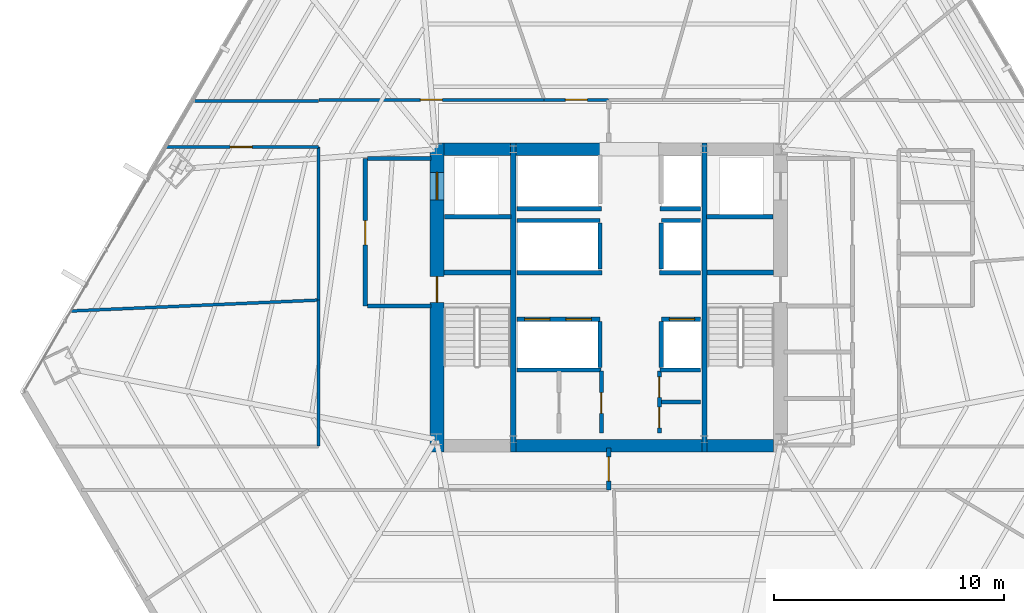
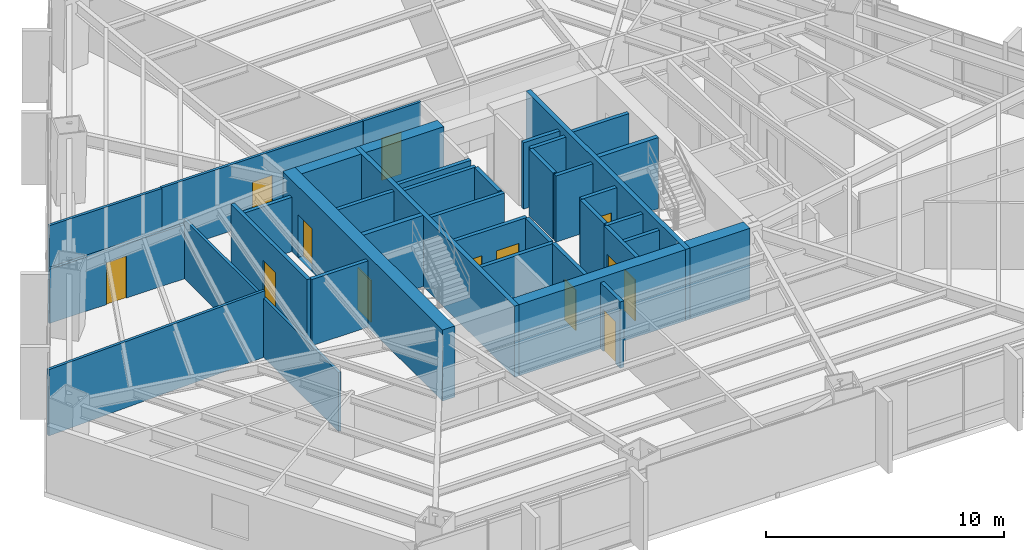
# One storey, part 28 of 33: 39 walls, 13 doors, 13 openings.
"""IFC4 building model written with IfcOpenShell, lengths in metres."""

from ifc_helpers import new_model, si_unit, direction, frame, frame_2d, origin, place, context, subcontext, project, spatial, rectangle, extrude, material, layer, layer_set, type_object, element, fill, save


model = new_model("IFC4")

# Units and contexts
model_context = context("Model", 3, precision=1e-05, world=origin(), true_north=direction((0.0, 1.0)))
body_context = subcontext(model_context, "Body", "Model", "MODEL_VIEW")
ifc_project = project(units=[si_unit("LENGTHUNIT", "METRE"), si_unit("AREAUNIT", "SQUARE_METRE"), si_unit("VOLUMEUNIT", "CUBIC_METRE"), si_unit("PLANEANGLEUNIT", "RADIAN"), si_unit("MASSUNIT", "GRAM", prefix="KILO")], contexts=[model_context])

# Site, building, storey
site_placement = place(None, origin())
site = spatial("IfcSite", under=ifc_project, at=site_placement, CompositionType="ELEMENT")
building_placement = place(site_placement, origin())
building = spatial("IfcBuilding", under=site, at=building_placement, Name="Caelisora Broadcast Tower", CompositionType="ELEMENT")
storey_placement = place(building_placement, frame((0.0, 0.0, 42.199951171875)))
storey = spatial("IfcBuildingStorey", under=building, at=storey_placement, Name="L10", CompositionType="ELEMENT", Elevation=42.199951171875)

# Wall, openings, doors
ifc_material_1 = material(Name="Concrete 65 MPa (AS 3600 S65)", Category="concrete")
ifc_layer_1 = layer(ifc_material_1, 0.60009765625, Name="Concrete 65 MPa (AS 3600 S65)")
ifc_layer_set_1 = layer_set([ifc_layer_1], Name="Concrete 65 MPa (AS 3600 S65)")
wall_type_1 = type_object("IfcWallType", Name="CW1", PredefinedType="SHEAR", material=ifc_layer_set_1)
wall_1_placement = place(storey_placement, frame((30.5400390625, 16.85009765625, 0.0), z_axis=(0.0, 0.0, 1.0), x_axis=(0.0, 1.0, 0.0)))
wall_1 = element("IfcWall", 1, at=wall_1_placement, inside=storey, type_object=wall_type_1, Name="L10 core shear wall CW1", PredefinedType="SHEAR", context=body_context, shape_type="SweptSolid", body=[
    extrude(rectangle(XDim=13.4248046875, YDim=0.60009765625, at=frame_2d((6.71240234375, 0.0))), origin(), (0.0, 0.0, 1.0), 3.650146484375),
])
opening_1_placement = place(wall_1_placement, frame((6.5, 0.0, 0.0)))
opening_1 = element("IfcOpeningElement", 2, at=opening_1_placement, cuts=wall_1, Name="Opening FD04", PredefinedType="OPENING", context=body_context, shape_type="SweptSolid", body=[
    extrude(rectangle(XDim=1.1201171875, YDim=2.14990234375, at=frame_2d((0.56005859375, 1.074951171875))), frame((0.0, 0.31201171875, 0.0), z_axis=(0.0, -1.0, 0.0), x_axis=(1.0, 0.0, 0.0)), (0.0, 0.0, 1.0), 0.6240234375),
])
opening_2_placement = place(wall_1_placement, frame((10.949951171875, 0.0, 0.0)))
opening_2 = element("IfcOpeningElement", 3, at=opening_2_placement, cuts=wall_1, Name="Opening LD04", PredefinedType="OPENING", context=body_context, shape_type="SweptSolid", body=[
    extrude(rectangle(XDim=1.199951171875, YDim=2.199951171875, at=frame_2d((0.60009765625, 1.10009765625))), frame((0.0, 0.31201171875, 0.0), z_axis=(0.0, -1.0, 0.0), x_axis=(1.0, 0.0, 0.0)), (0.0, 0.0, 1.0), 0.6240234375),
])
ifc_material_2 = material(Name="Pressurised Fire-Isolated Stair Door", Category="steel")
door_type_1 = type_object("IfcDoorType", Name="FD04", OperationType="NOTDEFINED", PredefinedType="DOOR", material=ifc_material_2)
door_1_placement = place(opening_1_placement, origin())
door_1 = element("IfcDoor", 4, at=door_1_placement, inside=storey, type_object=door_type_1, Name="L10 door FD04 (L10-DR-ST1)", OperationType="SINGLE_SWING_LEFT", OverallHeight=2.14990234375, OverallWidth=1.1201171875, PredefinedType="DOOR", context=body_context, shape_type="SweptSolid", body=[
    extrude(rectangle(XDim=1.1201171875, YDim=2.14990234375, at=frame_2d((0.56005859375, 1.074951171875))), frame((0.0, 0.02490234375, 0.0), z_axis=(0.0, -1.0, 0.0), x_axis=(1.0, 0.0, 0.0)), (0.0, 0.0, 1.0), 0.050048828125),
])
fill(opening_1, door_1)
ifc_material_3 = material(Name="Emergency Firefighting Lift Sliding Landing Door", Category="steel")
door_type_2 = type_object("IfcDoorType", Name="LD04", OperationType="NOTDEFINED", PredefinedType="DOOR", material=ifc_material_3)
door_2_placement = place(opening_2_placement, origin())
door_2 = element("IfcDoor", 5, at=door_2_placement, inside=storey, type_object=door_type_2, Name="L10 door LD04 (L10-LD-FFL1)", OperationType="SLIDING_TO_LEFT", OverallHeight=2.199951171875, OverallWidth=1.199951171875, PredefinedType="DOOR", context=body_context, shape_type="SweptSolid", body=[
    extrude(rectangle(XDim=1.199951171875, YDim=2.199951171875, at=frame_2d((0.60009765625, 1.10009765625))), frame((0.0, 0.02490234375, 0.0), z_axis=(0.0, -1.0, 0.0), x_axis=(1.0, 0.0, 0.0)), (0.0, 0.0, 1.0), 0.050048828125),
])
fill(opening_2, door_2)

# Walls
ifc_layer_2 = layer(ifc_material_1, 0.550048828125, Name="Concrete 65 MPa (AS 3600 S65)")
ifc_layer_set_2 = layer_set([ifc_layer_2], Name="Concrete 65 MPa (AS 3600 S65)")
wall_type_2 = type_object("IfcWallType", Name="CW4", PredefinedType="SHEAR", material=ifc_layer_set_2)
wall_2_placement = place(storey_placement, frame((33.9599609375, 17.125, 0.0), z_axis=(0.0, 0.0, 1.0), x_axis=(1.0, 0.0, 0.0)))
element("IfcWall", 6, at=wall_2_placement, inside=storey, type_object=wall_type_2, Name="L10 core shear wall CW4", PredefinedType="SHEAR", context=body_context, shape_type="SweptSolid", body=[
    extrude(rectangle(XDim=8.080078125, YDim=0.550048828125, at=frame_2d((4.0400390625, 0.0))), origin(), (0.0, 0.0, 1.0), 3.650146484375),
])
for number, where, z_axis, x_axis, name in (
    (7, (42.260009765625, 17.125, 0.0), (0.0, 0.0, 1.0), (1.0, 0.0, 0.0), "L10 core shear wall CW4"),
    (8, (30.840087890625, 30.0, 0.0), (0.0, 0.0, 1.0), (1.0, 0.0, 0.0), "L10 core shear wall CW4"),
):
    element("IfcWall", number, at=place(storey_placement, frame(where, z_axis=z_axis, x_axis=x_axis)), inside=storey, type_object=wall_type_2, Name=name, PredefinedType="SHEAR", context=body_context, shape_type="SweptSolid", body=[
        extrude(rectangle(XDim=2.89990234375, YDim=0.550048828125, at=frame_2d((1.449951171875, 0.0))), origin(), (0.0, 0.0, 1.0), 3.650146484375),
    ])
wall_3_placement = place(storey_placement, frame((33.9599609375, 30.0, 0.0), z_axis=(0.0, 0.0, 1.0), x_axis=(1.0, 0.0, 0.0)))
element("IfcWall", 9, at=wall_3_placement, inside=storey, type_object=wall_type_2, Name="L10 core shear wall CW4", PredefinedType="SHEAR", context=body_context, shape_type="SweptSolid", body=[
    extrude(rectangle(XDim=3.780029296875, YDim=0.550048828125, at=frame_2d((1.89013671875, 0.0))), origin(), (0.0, 0.0, 1.0), 3.650146484375),
])
ifc_material_4 = material(Name="Concrete 50 MPa (AS 3600 S50)", Category="concrete")
ifc_layer_3 = layer(ifc_material_4, 0.219970703125, Name="Concrete 50 MPa (AS 3600 S50)")
ifc_layer_set_3 = layer_set([ifc_layer_3], Name="Concrete 50 MPa (AS 3600 S50)")
wall_type_3 = type_object("IfcWallType", Name="CW7", PredefinedType="SHEAR", material=ifc_layer_set_3)
for number, where, z_axis, x_axis, name in (
    (10, (33.85009765625, 16.85009765625, 0.0), (0.0, 0.0, 1.0), (0.0, 1.0, 0.0), "L10 core shear wall CW7"),
    (11, (42.14990234375, 16.85009765625, 0.0), (0.0, 0.0, 1.0), (0.0, 1.0, 0.0), "L10 core shear wall CW7"),
):
    element("IfcWall", number, at=place(storey_placement, frame(where, z_axis=z_axis, x_axis=x_axis)), inside=storey, type_object=wall_type_3, Name=name, PredefinedType="SHEAR", context=body_context, shape_type="SweptSolid", body=[
        extrude(rectangle(XDim=13.4248046875, YDim=0.219970703125, at=frame_2d((6.71240234375, 0.0))), origin(), (0.0, 0.0, 1.0), 3.650146484375),
    ])
for number, where, z_axis, x_axis, name in (
    (12, (30.840087890625, 24.639892578125, 0.0), (0.0, 0.0, 1.0), (1.0, 0.0, 0.0), "L10 core shear wall CW7"),
    (13, (42.260009765625, 24.639892578125, 0.0), (0.0, 0.0, 1.0), (1.0, 0.0, 0.0), "L10 core shear wall CW7"),
):
    element("IfcWall", number, at=place(storey_placement, frame(where, z_axis=z_axis, x_axis=x_axis)), inside=storey, type_object=wall_type_3, Name=name, PredefinedType="SHEAR", context=body_context, shape_type="SweptSolid", body=[
        extrude(rectangle(XDim=2.89990234375, YDim=0.219970703125, at=frame_2d((1.449951171875, 0.0))), origin(), (0.0, 0.0, 1.0), 3.650146484375),
    ])

# Wall, openings, doors
ifc_material_5 = material(Name="Fire-Rated Gypsum Shaft and Compartment Wall", Category="gypsum")
ifc_layer_4 = layer(ifc_material_5, 0.179931640625, Name="Fire-Rated Gypsum Shaft and Compartment Wall")
ifc_layer_set_4 = layer_set([ifc_layer_4], Name="Fire-Rated Gypsum Shaft and Compartment Wall")
wall_type_4 = type_object("IfcWallType", Name="PW2", PredefinedType="PARTITIONING", material=ifc_layer_set_4)
wall_4_placement = place(storey_placement, frame((34.02001953125, 22.6201171875, 0.0), z_axis=(0.0, 0.0, 1.0), x_axis=(1.0, 0.0, 0.0)))
wall_4 = element("IfcWall", 14, at=wall_4_placement, inside=storey, type_object=wall_type_4, Name="L10 fire compartment wall PW2", PredefinedType="PARTITIONING", context=body_context, shape_type="SweptSolid", body=[
    extrude(rectangle(XDim=3.60009765625, YDim=0.179931640625, at=frame_2d((1.800048828125, 0.0))), origin(), (0.0, 0.0, 1.0), 3.400146484375),
])
opening_3_placement = place(wall_4_placement, frame((0.320068359375, 0.0, 0.0)))
opening_3 = element("IfcOpeningElement", 15, at=opening_3_placement, cuts=wall_4, Name="Opening LD01", PredefinedType="OPENING", context=body_context, shape_type="SweptSolid", body=[
    extrude(rectangle(XDim=1.10009765625, YDim=2.199951171875, at=frame_2d((0.550048828125, 1.10009765625))), frame((0.0, 0.10205078125, 0.0), z_axis=(0.0, -1.0, 0.0), x_axis=(1.0, 0.0, 0.0)), (0.0, 0.0, 1.0), 0.203857421875),
])
opening_4_placement = place(wall_4_placement, frame((2.1201171875, 0.0, 0.0)))
opening_4 = element("IfcOpeningElement", 16, at=opening_4_placement, cuts=wall_4, Name="Opening LD01", PredefinedType="OPENING", context=body_context, shape_type="SweptSolid", body=[
    extrude(rectangle(XDim=1.10009765625, YDim=2.199951171875, at=frame_2d((0.550048828125, 1.10009765625))), frame((0.0, 0.10205078125, 0.0), z_axis=(0.0, -1.0, 0.0), x_axis=(1.0, 0.0, 0.0)), (0.0, 0.0, 1.0), 0.203857421875),
])
ifc_material_6 = material(Name="Stainless Steel Centre-Parting Lift Landing Door", Category="steel")
door_type_3 = type_object("IfcDoorType", Name="LD01", OperationType="NOTDEFINED", PredefinedType="DOOR", material=ifc_material_6)
door_3_placement = place(opening_3_placement, origin())
door_3 = element("IfcDoor", 17, at=door_3_placement, inside=storey, type_object=door_type_3, Name="L10 door LD01 (L10-LD-PLL1)", OperationType="SLIDING_TO_LEFT", OverallHeight=2.199951171875, OverallWidth=1.10009765625, PredefinedType="DOOR", context=body_context, shape_type="SweptSolid", body=[
    extrude(rectangle(XDim=1.10009765625, YDim=2.199951171875, at=frame_2d((0.550048828125, 1.10009765625))), frame((0.0, 0.02490234375, 0.0), z_axis=(0.0, -1.0, 0.0), x_axis=(1.0, 0.0, 0.0)), (0.0, 0.0, 1.0), 0.050048828125),
])
fill(opening_3, door_3)
door_4_placement = place(opening_4_placement, origin())
door_4 = element("IfcDoor", 18, at=door_4_placement, inside=storey, type_object=door_type_3, Name="L10 door LD01 (L10-LD-PLL2)", OperationType="SLIDING_TO_RIGHT", OverallHeight=2.199951171875, OverallWidth=1.10009765625, PredefinedType="DOOR", context=body_context, shape_type="SweptSolid", body=[
    extrude(rectangle(XDim=1.10009765625, YDim=2.199951171875, at=frame_2d((0.550048828125, 1.10009765625))), frame((0.0, 0.02490234375, 0.0), z_axis=(0.0, -1.0, 0.0), x_axis=(1.0, 0.0, 0.0)), (0.0, 0.0, 1.0), 0.050048828125),
])
fill(opening_4, door_4)

# Wall, opening, door
wall_5_placement = place(storey_placement, frame((40.280029296875, 22.6201171875, 0.0), z_axis=(0.0, 0.0, 1.0), x_axis=(1.0, 0.0, 0.0)))
wall_5 = element("IfcWall", 19, at=wall_5_placement, inside=storey, type_object=wall_type_4, Name="L10 fire compartment wall PW2", PredefinedType="PARTITIONING", context=body_context, shape_type="SweptSolid", body=[
    extrude(rectangle(XDim=1.699951171875, YDim=0.179931640625, at=frame_2d((0.85009765625, 0.0))), origin(), (0.0, 0.0, 1.0), 3.400146484375),
])
opening_5_placement = place(wall_5_placement, frame((0.35009765625, 0.0, 0.0)))
opening_5 = element("IfcOpeningElement", 20, at=opening_5_placement, cuts=wall_5, Name="Opening LD01", PredefinedType="OPENING", context=body_context, shape_type="SweptSolid", body=[
    extrude(rectangle(XDim=1.10009765625, YDim=2.199951171875, at=frame_2d((0.550048828125, 1.10009765625))), frame((0.0, 0.10205078125, 0.0), z_axis=(0.0, -1.0, 0.0), x_axis=(1.0, 0.0, 0.0)), (0.0, 0.0, 1.0), 0.203857421875),
])
door_5_placement = place(opening_5_placement, origin())
door_5 = element("IfcDoor", 21, at=door_5_placement, inside=storey, type_object=door_type_3, Name="L10 door LD01 (L10-LD-PLL3)", OperationType="SLIDING_TO_LEFT", OverallHeight=2.199951171875, OverallWidth=1.10009765625, PredefinedType="DOOR", context=body_context, shape_type="SweptSolid", body=[
    extrude(rectangle(XDim=1.10009765625, YDim=2.199951171875, at=frame_2d((0.550048828125, 1.10009765625))), frame((0.0, 0.02490234375, 0.0), z_axis=(0.0, -1.0, 0.0), x_axis=(1.0, 0.0, 0.0)), (0.0, 0.0, 1.0), 0.050048828125),
])
fill(opening_5, door_5)

# Walls
for number, where, z_axis, x_axis, name in (
    (22, (37.6201171875, 20.52001953125, 0.0), (0.0, 0.0, 1.0), (0.0, 1.0, 0.0), "L10 fire compartment wall PW2"),
    (23, (40.280029296875, 20.52001953125, 0.0), (0.0, 0.0, 1.0), (0.0, 1.0, 0.0), "L10 fire compartment wall PW2"),
):
    element("IfcWall", number, at=place(storey_placement, frame(where, z_axis=z_axis, x_axis=x_axis)), inside=storey, type_object=wall_type_4, Name=name, PredefinedType="PARTITIONING", context=body_context, shape_type="SweptSolid", body=[
        extrude(rectangle(XDim=2.0, YDim=0.179931640625, at=frame_2d((1.0, 0.0))), origin(), (0.0, 0.0, 1.0), 3.400146484375),
    ])
wall_6_placement = place(storey_placement, frame((34.02001953125, 26.89990234375, 0.0), z_axis=(0.0, 0.0, 1.0), x_axis=(1.0, 0.0, 0.0)))
element("IfcWall", 24, at=wall_6_placement, inside=storey, type_object=wall_type_4, Name="L10 fire compartment wall PW2", PredefinedType="PARTITIONING", context=body_context, shape_type="SweptSolid", body=[
    extrude(rectangle(XDim=3.60009765625, YDim=0.179931640625, at=frame_2d((1.800048828125, 0.0))), origin(), (0.0, 0.0, 1.0), 3.400146484375),
])
wall_7_placement = place(storey_placement, frame((40.280029296875, 26.89990234375, 0.0), z_axis=(0.0, 0.0, 1.0), x_axis=(1.0, 0.0, 0.0)))
element("IfcWall", 25, at=wall_7_placement, inside=storey, type_object=wall_type_4, Name="L10 fire compartment wall PW2", PredefinedType="PARTITIONING", context=body_context, shape_type="SweptSolid", body=[
    extrude(rectangle(XDim=1.699951171875, YDim=0.179931640625, at=frame_2d((0.85009765625, 0.0))), origin(), (0.0, 0.0, 1.0), 3.400146484375),
])
for number, where, z_axis, x_axis, name in (
    (26, (37.6201171875, 24.800048828125, 0.0), (0.0, 0.0, 1.0), (0.0, 1.0, 0.0), "L10 fire compartment wall PW2"),
    (27, (40.280029296875, 24.800048828125, 0.0), (0.0, 0.0, 1.0), (0.0, 1.0, 0.0), "L10 fire compartment wall PW2"),
):
    element("IfcWall", number, at=place(storey_placement, frame(where, z_axis=z_axis, x_axis=x_axis)), inside=storey, type_object=wall_type_4, Name=name, PredefinedType="PARTITIONING", context=body_context, shape_type="SweptSolid", body=[
        extrude(rectangle(XDim=2.0, YDim=0.179931640625, at=frame_2d((1.0, 0.0))), origin(), (0.0, 0.0, 1.0), 3.400146484375),
    ])
wall_8_placement = place(storey_placement, frame((34.02001953125, 24.639892578125, 0.0), z_axis=(0.0, 0.0, 1.0), x_axis=(1.0, 0.0, 0.0)))
element("IfcWall", 28, at=wall_8_placement, inside=storey, type_object=wall_type_4, Name="L10 fire compartment wall PW2", PredefinedType="PARTITIONING", context=body_context, shape_type="SweptSolid", body=[
    extrude(rectangle(XDim=3.679931640625, YDim=0.179931640625, at=frame_2d((1.83984375, 0.0))), origin(), (0.0, 0.0, 1.0), 3.400146484375),
])
wall_9_placement = place(storey_placement, frame((40.199951171875, 24.639892578125, 0.0), z_axis=(0.0, 0.0, 1.0), x_axis=(1.0, 0.0, 0.0)))
element("IfcWall", 29, at=wall_9_placement, inside=storey, type_object=wall_type_4, Name="L10 fire compartment wall PW2", PredefinedType="PARTITIONING", context=body_context, shape_type="SweptSolid", body=[
    extrude(rectangle(XDim=1.780029296875, YDim=0.179931640625, at=frame_2d((0.89013671875, 0.0))), origin(), (0.0, 0.0, 1.0), 3.400146484375),
])
wall_10_placement = place(storey_placement, frame((34.02001953125, 27.419921875, 0.0), z_axis=(0.0, 0.0, 1.0), x_axis=(1.0, 0.0, 0.0)))
element("IfcWall", 30, at=wall_10_placement, inside=storey, type_object=wall_type_4, Name="L10 fire compartment wall PW2", PredefinedType="PARTITIONING", context=body_context, shape_type="SweptSolid", body=[
    extrude(rectangle(XDim=3.659912109375, YDim=0.179931640625, at=frame_2d((1.830078125, 0.0))), origin(), (0.0, 0.0, 1.0), 3.400146484375),
])
wall_11_placement = place(storey_placement, frame((40.219970703125, 27.419921875, 0.0), z_axis=(0.0, 0.0, 1.0), x_axis=(1.0, 0.0, 0.0)))
element("IfcWall", 31, at=wall_11_placement, inside=storey, type_object=wall_type_4, Name="L10 fire compartment wall PW2", PredefinedType="PARTITIONING", context=body_context, shape_type="SweptSolid", body=[
    extrude(rectangle(XDim=1.760009765625, YDim=0.179931640625, at=frame_2d((0.8798828125, 0.0))), origin(), (0.0, 0.0, 1.0), 3.400146484375),
])

# Wall, opening, door
wall_12_placement = place(storey_placement, frame((27.419921875, 23.199951171875, 0.0), z_axis=(0.0, 0.0, 1.0), x_axis=(0.0, 1.0, 0.0)))
wall_12 = element("IfcWall", 32, at=wall_12_placement, inside=storey, type_object=wall_type_4, Name="L10 fire compartment wall PW2", PredefinedType="PARTITIONING", context=body_context, shape_type="SweptSolid", body=[
    extrude(rectangle(XDim=6.400146484375, YDim=0.179931640625, at=frame_2d((3.2001953125, 0.0))), origin(), (0.0, 0.0, 1.0), 3.400146484375),
])
opening_6_placement = place(wall_12_placement, frame((2.64990234375, 0.0, 0.0)))
opening_6 = element("IfcOpeningElement", 33, at=opening_6_placement, cuts=wall_12, Name="Opening FD02", PredefinedType="OPENING", context=body_context, shape_type="SweptSolid", body=[
    extrude(rectangle(XDim=1.050048828125, YDim=2.14990234375, at=frame_2d((0.52490234375, 1.074951171875))), frame((0.0, 0.10205078125, 0.0), z_axis=(0.0, -1.0, 0.0), x_axis=(1.0, 0.0, 0.0)), (0.0, 0.0, 1.0), 0.203857421875),
])
ifc_material_7 = material(Name="Single-Leaf Steel Fire Lobby Door", Category="steel")
door_type_4 = type_object("IfcDoorType", Name="FD02", OperationType="NOTDEFINED", PredefinedType="DOOR", material=ifc_material_7)
door_6_placement = place(opening_6_placement, origin())
door_6 = element("IfcDoor", 34, at=door_6_placement, inside=storey, type_object=door_type_4, Name="L10 door FD02 (L10-DR-P01D1)", OperationType="SINGLE_SWING_LEFT", OverallHeight=2.14990234375, OverallWidth=1.050048828125, PredefinedType="DOOR", context=body_context, shape_type="SweptSolid", body=[
    extrude(rectangle(XDim=1.050048828125, YDim=2.14990234375, at=frame_2d((0.52490234375, 1.074951171875))), frame((0.0, 0.02490234375, 0.0), z_axis=(0.0, -1.0, 0.0), x_axis=(1.0, 0.0, 0.0)), (0.0, 0.0, 1.0), 0.050048828125),
])
fill(opening_6, door_6)

# Walls
wall_13_placement = place(storey_placement, frame((27.52001953125, 23.199951171875, 0.0), z_axis=(0.0, 0.0, 1.0), x_axis=(1.0, 0.0, 0.0)))
element("IfcWall", 35, at=wall_13_placement, inside=storey, type_object=wall_type_4, Name="L10 fire compartment wall PW2", PredefinedType="PARTITIONING", context=body_context, shape_type="SweptSolid", body=[
    extrude(rectangle(XDim=2.760009765625, YDim=0.179931640625, at=frame_2d((1.3798828125, 0.0))), origin(), (0.0, 0.0, 1.0), 3.400146484375),
])
wall_14_placement = place(storey_placement, frame((27.52001953125, 29.60009765625, 0.0), z_axis=(0.0, 0.0, 1.0), x_axis=(1.0, 0.0, 0.0)))
element("IfcWall", 36, at=wall_14_placement, inside=storey, type_object=wall_type_4, Name="L10 fire compartment wall PW2", PredefinedType="PARTITIONING", context=body_context, shape_type="SweptSolid", body=[
    extrude(rectangle(XDim=2.760009765625, YDim=0.179931640625, at=frame_2d((1.3798828125, 0.0))), origin(), (0.0, 0.0, 1.0), 2.782958984375),
])
for number, where, z_axis, x_axis, name in (
    (37, (30.860107421875, 27.070068359375, 0.0), (0.0, 0.0, 1.0), (1.0, 0.0, 0.0), "L10 fire compartment wall PW2"),
    (38, (42.239990234375, 27.070068359375, 0.0), (0.0, 0.0, 1.0), (1.0, 0.0, 0.0), "L10 fire compartment wall PW2"),
):
    element("IfcWall", number, at=place(storey_placement, frame(where, z_axis=z_axis, x_axis=x_axis)), inside=storey, type_object=wall_type_4, Name=name, PredefinedType="PARTITIONING", context=body_context, shape_type="SweptSolid", body=[
        extrude(rectangle(XDim=2.89990234375, YDim=0.179931640625, at=frame_2d((1.449951171875, 0.0))), origin(), (0.0, 0.0, 1.0), 3.400146484375),
    ])
wall_15_placement = place(storey_placement, frame((34.02001953125, 20.419921875, 0.0), z_axis=(0.0, 0.0, 1.0), x_axis=(1.0, 0.0, 0.0)))
element("IfcWall", 39, at=wall_15_placement, inside=storey, type_object=wall_type_4, Name="L10 fire compartment wall PW2", PredefinedType="PARTITIONING", context=body_context, shape_type="SweptSolid", body=[
    extrude(rectangle(XDim=3.639892578125, YDim=0.179931640625, at=frame_2d((1.81982421875, 0.0))), origin(), (0.0, 0.0, 1.0), 3.400146484375),
])
wall_16_placement = place(storey_placement, frame((40.219970703125, 20.419921875, 0.0), z_axis=(0.0, 0.0, 1.0), x_axis=(1.0, 0.0, 0.0)))
element("IfcWall", 40, at=wall_16_placement, inside=storey, type_object=wall_type_4, Name="L10 fire compartment wall PW2", PredefinedType="PARTITIONING", context=body_context, shape_type="SweptSolid", body=[
    extrude(rectangle(XDim=1.760009765625, YDim=0.179931640625, at=frame_2d((0.8798828125, 0.0))), origin(), (0.0, 0.0, 1.0), 3.400146484375),
])

# Wall, opening, door
wall_17_placement = place(storey_placement, frame((37.679931640625, 17.679931640625, 0.0), z_axis=(0.0, 0.0, 1.0), x_axis=(0.0, 1.0, 0.0)))
wall_17 = element("IfcWall", 41, at=wall_17_placement, inside=storey, type_object=wall_type_4, Name="L10 fire compartment wall PW2", PredefinedType="PARTITIONING", context=body_context, shape_type="SweptSolid", body=[
    extrude(rectangle(XDim=2.699951171875, YDim=0.179931640625, at=frame_2d((1.35009765625, 0.0))), origin(), (0.0, 0.0, 1.0), 3.400146484375),
])
opening_7_placement = place(wall_17_placement, frame((0.85009765625, 0.0, 0.0)))
opening_7 = element("IfcOpeningElement", 42, at=opening_7_placement, cuts=wall_17, Name="Opening FD03", PredefinedType="OPENING", context=body_context, shape_type="SweptSolid", body=[
    extrude(rectangle(XDim=0.89990234375, YDim=2.10009765625, at=frame_2d((0.449951171875, 1.050048828125))), frame((0.0, 0.10205078125, 0.0), z_axis=(0.0, -1.0, 0.0), x_axis=(1.0, 0.0, 0.0)), (0.0, 0.0, 1.0), 0.203857421875),
])
ifc_material_8 = material(Name="Single-Leaf Steel Riser Fire Access Door", Category="steel")
door_type_5 = type_object("IfcDoorType", Name="FD03", OperationType="NOTDEFINED", PredefinedType="DOOR", material=ifc_material_8)
door_7_placement = place(opening_7_placement, origin())
door_7 = element("IfcDoor", 43, at=door_7_placement, inside=storey, type_object=door_type_5, Name="L10 door FD03 (L10-DR-P12D1)", OperationType="SINGLE_SWING_RIGHT", OverallHeight=2.10009765625, OverallWidth=0.89990234375, PredefinedType="DOOR", context=body_context, shape_type="SweptSolid", body=[
    extrude(rectangle(XDim=0.89990234375, YDim=2.10009765625, at=frame_2d((0.449951171875, 1.050048828125))), frame((0.0, 0.02490234375, 0.0), z_axis=(0.0, -1.0, 0.0), x_axis=(1.0, 0.0, 0.0)), (0.0, 0.0, 1.0), 0.050048828125),
])
fill(opening_7, door_7)

# Wall
wall_18_placement = place(storey_placement, frame((40.280029296875, 19.02001953125, 0.0), z_axis=(0.0, 0.0, 1.0), x_axis=(1.0, 0.0, 0.0)))
element("IfcWall", 44, at=wall_18_placement, inside=storey, type_object=wall_type_4, Name="L10 fire compartment wall PW2", PredefinedType="PARTITIONING", context=body_context, shape_type="SweptSolid", body=[
    extrude(rectangle(XDim=1.699951171875, YDim=0.179931640625, at=frame_2d((0.85009765625, 0.0))), origin(), (0.0, 0.0, 1.0), 3.400146484375),
])

# Wall, openings, doors
wall_19_placement = place(storey_placement, frame((40.199951171875, 17.679931640625, 0.0), z_axis=(0.0, 0.0, 1.0), x_axis=(0.0, 1.0, 0.0)))
wall_19 = element("IfcWall", 45, at=wall_19_placement, inside=storey, type_object=wall_type_4, Name="L10 fire compartment wall PW2", PredefinedType="PARTITIONING", context=body_context, shape_type="SweptSolid", body=[
    extrude(rectangle(XDim=2.699951171875, YDim=0.179931640625, at=frame_2d((1.35009765625, 0.0))), origin(), (0.0, 0.0, 1.0), 3.400146484375),
])
opening_8_placement = place(wall_19_placement, frame((0.219970703125, 0.0, 0.0)))
opening_8 = element("IfcOpeningElement", 46, at=opening_8_placement, cuts=wall_19, Name="Opening FD03", PredefinedType="OPENING", context=body_context, shape_type="SweptSolid", body=[
    extrude(rectangle(XDim=0.89990234375, YDim=2.10009765625, at=frame_2d((0.449951171875, 1.050048828125))), frame((0.0, 0.10205078125, 0.0), z_axis=(0.0, -1.0, 0.0), x_axis=(1.0, 0.0, 0.0)), (0.0, 0.0, 1.0), 0.203857421875),
])
opening_9_placement = place(wall_19_placement, frame((1.5400390625, 0.0, 0.0)))
opening_9 = element("IfcOpeningElement", 47, at=opening_9_placement, cuts=wall_19, Name="Opening FD03", PredefinedType="OPENING", context=body_context, shape_type="SweptSolid", body=[
    extrude(rectangle(XDim=0.89990234375, YDim=2.10009765625, at=frame_2d((0.449951171875, 1.050048828125))), frame((0.0, 0.10205078125, 0.0), z_axis=(0.0, -1.0, 0.0), x_axis=(1.0, 0.0, 0.0)), (0.0, 0.0, 1.0), 0.203857421875),
])
door_8_placement = place(opening_8_placement, origin())
door_8 = element("IfcDoor", 48, at=door_8_placement, inside=storey, type_object=door_type_5, Name="L10 door FD03 (L10-DR-P14D1)", OperationType="SINGLE_SWING_LEFT", OverallHeight=2.10009765625, OverallWidth=0.89990234375, PredefinedType="DOOR", context=body_context, shape_type="SweptSolid", body=[
    extrude(rectangle(XDim=0.89990234375, YDim=2.10009765625, at=frame_2d((0.449951171875, 1.050048828125))), frame((0.0, 0.02490234375, 0.0), z_axis=(0.0, -1.0, 0.0), x_axis=(1.0, 0.0, 0.0)), (0.0, 0.0, 1.0), 0.050048828125),
])
fill(opening_8, door_8)
door_9_placement = place(opening_9_placement, origin())
door_9 = element("IfcDoor", 49, at=door_9_placement, inside=storey, type_object=door_type_5, Name="L10 door FD03 (L10-DR-P14D2)", OperationType="SINGLE_SWING_RIGHT", OverallHeight=2.10009765625, OverallWidth=0.89990234375, PredefinedType="DOOR", context=body_context, shape_type="SweptSolid", body=[
    extrude(rectangle(XDim=0.89990234375, YDim=2.10009765625, at=frame_2d((0.449951171875, 1.050048828125))), frame((0.0, 0.02490234375, 0.0), z_axis=(0.0, -1.0, 0.0), x_axis=(1.0, 0.0, 0.0)), (0.0, 0.0, 1.0), 0.050048828125),
])
fill(opening_9, door_9)

# Wall, opening, door
wall_20_placement = place(storey_placement, frame((38.0, 15.205078125, 0.0), z_axis=(0.0, 0.0, 1.0), x_axis=(0.0, 1.0, 0.0)))
wall_20 = element("IfcWall", 50, at=wall_20_placement, inside=storey, type_object=wall_type_4, Name="L10 fire compartment wall PW2", PredefinedType="PARTITIONING", context=body_context, shape_type="SweptSolid", body=[
    extrude(rectangle(XDim=1.81982421875, YDim=0.179931640625, at=frame_2d((0.909912109375, 0.0))), origin(), (0.0, 0.0, 1.0), 3.400146484375),
])
opening_10_placement = place(wall_20_placement, frame((0.385009765625, 0.0, 0.0)))
opening_10 = element("IfcOpeningElement", 51, at=opening_10_placement, cuts=wall_20, Name="Opening FD02", PredefinedType="OPENING", context=body_context, shape_type="SweptSolid", body=[
    extrude(rectangle(XDim=1.050048828125, YDim=2.14990234375, at=frame_2d((0.52490234375, 1.074951171875))), frame((0.0, 0.10205078125, 0.0), z_axis=(0.0, -1.0, 0.0), x_axis=(1.0, 0.0, 0.0)), (0.0, 0.0, 1.0), 0.203857421875),
])
door_10_placement = place(opening_10_placement, origin())
door_10 = element("IfcDoor", 52, at=door_10_placement, inside=storey, type_object=door_type_4, Name="L10 door FD02 (L10-DR-P55D1)", OperationType="SINGLE_SWING_LEFT", OverallHeight=2.14990234375, OverallWidth=1.050048828125, PredefinedType="DOOR", context=body_context, shape_type="SweptSolid", body=[
    extrude(rectangle(XDim=1.050048828125, YDim=2.14990234375, at=frame_2d((0.52490234375, 1.074951171875))), frame((0.0, 0.02490234375, 0.0), z_axis=(0.0, -1.0, 0.0), x_axis=(1.0, 0.0, 0.0)), (0.0, 0.0, 1.0), 0.050048828125),
])
fill(opening_10, door_10)

# Wall
ifc_material_9 = material(Name="Acoustic Steel-Stud Plasterboard Partition", Category="gypsum")
ifc_layer_5 = layer(ifc_material_9, 0.1298828125, Name="Acoustic Steel-Stud Plasterboard Partition")
ifc_layer_set_5 = layer_set([ifc_layer_5], Name="Acoustic Steel-Stud Plasterboard Partition")
wall_type_5 = type_object("IfcWallType", Name="PW3", PredefinedType="PARTITIONING", material=ifc_layer_set_5)
wall_21_placement = place(storey_placement, frame((14.6318359375, 22.974853515625, 0.0), z_axis=(0.0, 0.0, 1.0), x_axis=(0.999027207517, 0.044098057112, 0.0)))
element("IfcWall", 53, at=wall_21_placement, inside=storey, type_object=wall_type_5, Name="L10 internal partition PW3", PredefinedType="PARTITIONING", context=body_context, shape_type="SweptSolid", body=[
    extrude(rectangle(XDim=10.773681640625, YDim=0.1298828125, at=frame_2d((5.38671875, 0.0))), origin(), (0.0, 0.0, 1.0), 3.400146484375),
])

# Wall, opening, door
wall_22_placement = place(storey_placement, frame((25.405029296875, 32.14990234375, 0.0), z_axis=(0.0, 0.0, 1.0), x_axis=(1.0, 0.0, 0.0)))
wall_22 = element("IfcWall", 54, at=wall_22_placement, inside=storey, type_object=wall_type_5, Name="L10 internal partition PW3", PredefinedType="PARTITIONING", context=body_context, shape_type="SweptSolid", body=[
    extrude(rectangle(XDim=9.780029296875, YDim=0.1298828125, at=frame_2d((4.89013671875, 0.0))), origin(), (0.0, 0.0, 1.0), 3.400146484375),
])
opening_11_placement = place(wall_22_placement, frame((4.409912109375, 0.0, 0.0)))
opening_11 = element("IfcOpeningElement", 55, at=opening_11_placement, cuts=wall_22, Name="Opening D01", PredefinedType="OPENING", context=body_context, shape_type="SweptSolid", body=[
    extrude(rectangle(XDim=0.9599609375, YDim=2.14990234375, at=frame_2d((0.47998046875, 1.074951171875))), frame((0.0, 0.076904296875, 0.0), z_axis=(0.0, -1.0, 0.0), x_axis=(1.0, 0.0, 0.0)), (0.0, 0.0, 1.0), 0.15380859375),
])
ifc_material_10 = material(Name="Solid-Core Timber Acoustic Office Door", Category="wood")
door_type_6 = type_object("IfcDoorType", Name="D01", OperationType="NOTDEFINED", PredefinedType="DOOR", material=ifc_material_10)
door_11_placement = place(opening_11_placement, origin())
door_11 = element("IfcDoor", 56, at=door_11_placement, inside=storey, type_object=door_type_6, Name="L10 door D01 (L10-DR-P39D1)", OperationType="SINGLE_SWING_RIGHT", OverallHeight=2.14990234375, OverallWidth=0.9599609375, PredefinedType="DOOR", context=body_context, shape_type="SweptSolid", body=[
    extrude(rectangle(XDim=0.9599609375, YDim=2.14990234375, at=frame_2d((0.47998046875, 1.074951171875))), frame((0.0, 0.02490234375, 0.0), z_axis=(0.0, -1.0, 0.0), x_axis=(1.0, 0.0, 0.0)), (0.0, 0.0, 1.0), 0.050048828125),
])
fill(opening_11, door_11)

wall_23_placement = place(storey_placement, frame((25.39501953125, 30.10009765625, 0.0), z_axis=(0.0, 0.0, 1.0), x_axis=(-1.0, 0.0, 0.0)))
wall_23 = element("IfcWall", 57, at=wall_23_placement, inside=storey, type_object=wall_type_5, Name="L10 internal partition PW3", PredefinedType="PARTITIONING", context=body_context, shape_type="SweptSolid", body=[
    extrude(rectangle(XDim=6.613037109375, YDim=0.1298828125, at=frame_2d((3.306640625, 0.0))), origin(), (0.0, 0.0, 1.0), 2.782958984375),
])
opening_12_placement = place(wall_23_placement, frame((2.882080078125, 0.0, 0.0)))
opening_12 = element("IfcOpeningElement", 58, at=opening_12_placement, cuts=wall_23, Name="Opening D01", PredefinedType="OPENING", context=body_context, shape_type="SweptSolid", body=[
    extrude(rectangle(XDim=0.9599609375, YDim=2.14990234375, at=frame_2d((0.47998046875, 1.074951171875))), frame((0.0, 0.076904296875, 0.0), z_axis=(0.0, -1.0, 0.0), x_axis=(1.0, 0.0, 0.0)), (0.0, 0.0, 1.0), 0.15380859375),
])
door_12_placement = place(opening_12_placement, origin())
door_12 = element("IfcDoor", 59, at=door_12_placement, inside=storey, type_object=door_type_6, Name="L10 door D01 (L10-DR-P45D1)", OperationType="SINGLE_SWING_RIGHT", OverallHeight=2.14990234375, OverallWidth=0.9599609375, PredefinedType="DOOR", context=body_context, shape_type="SweptSolid", body=[
    extrude(rectangle(XDim=0.9599609375, YDim=2.14990234375, at=frame_2d((0.47998046875, 1.074951171875))), frame((0.0, 0.02490234375, 0.0), z_axis=(0.0, -1.0, 0.0), x_axis=(1.0, 0.0, 0.0)), (0.0, 0.0, 1.0), 0.050048828125),
])
fill(opening_12, door_12)

# Walls
wall_24_placement = place(storey_placement, frame((25.39990234375, 23.455078125, 0.0), z_axis=(0.0, 0.0, 1.0), x_axis=(0.0, 1.0, 0.0)))
element("IfcWall", 60, at=wall_24_placement, inside=storey, type_object=wall_type_5, Name="L10 internal partition PW3", PredefinedType="PARTITIONING", context=body_context, shape_type="SweptSolid", body=[
    extrude(rectangle(XDim=6.639892578125, YDim=0.1298828125, at=frame_2d((3.31982421875, 0.0))), origin(), (0.0, 0.0, 1.0), 3.0263671875),
])
wall_25_placement = place(storey_placement, frame((25.39990234375, 23.445068359375, 0.0), z_axis=(0.0, 0.0, 1.0), x_axis=(0.0, -1.0, 0.0)))
element("IfcWall", 61, at=wall_25_placement, inside=storey, type_object=wall_type_5, Name="L10 internal partition PW3", PredefinedType="PARTITIONING", context=body_context, shape_type="SweptSolid", body=[
    extrude(rectangle(XDim=6.340087890625, YDim=0.1298828125, at=frame_2d((3.169921875, 0.0))), origin(), (0.0, 0.0, 1.0), 3.0263671875),
])
wall_26_placement = place(storey_placement, frame((19.94677734375, 32.10009765625, 0.0), z_axis=(0.0, 0.0, 1.0), x_axis=(1.0, 0.0, 0.0)))
element("IfcWall", 62, at=wall_26_placement, inside=storey, type_object=wall_type_5, Name="L10 internal partition PW3", PredefinedType="PARTITIONING", context=body_context, shape_type="SweptSolid", body=[
    extrude(rectangle(XDim=5.4482421875, YDim=0.1298828125, at=frame_2d((2.72412109375, 0.0))), origin(), (0.0, 0.0, 1.0), 3.400146484375),
])

# Wall, opening, door
wall_27_placement = place(storey_placement, frame((35.195068359375, 32.14990234375, 0.0), z_axis=(0.0, 0.0, 1.0), x_axis=(1.0, 0.0, 0.0)))
wall_27 = element("IfcWall", 63, at=wall_27_placement, inside=storey, type_object=wall_type_5, Name="L10 internal partition PW3", PredefinedType="PARTITIONING", context=body_context, shape_type="SweptSolid", body=[
    extrude(rectangle(XDim=2.800048828125, YDim=0.1298828125, at=frame_2d((1.39990234375, 0.0))), origin(), (0.0, 0.0, 1.0), 3.400146484375),
])
opening_13_placement = place(wall_27_placement, frame((0.919921875, 0.0, 0.0)))
opening_13 = element("IfcOpeningElement", 64, at=opening_13_placement, cuts=wall_27, Name="Opening D01", PredefinedType="OPENING", context=body_context, shape_type="SweptSolid", body=[
    extrude(rectangle(XDim=0.9599609375, YDim=2.14990234375, at=frame_2d((0.47998046875, 1.074951171875))), frame((0.0, 0.076904296875, 0.0), z_axis=(0.0, -1.0, 0.0), x_axis=(1.0, 0.0, 0.0)), (0.0, 0.0, 1.0), 0.15380859375),
])
door_13_placement = place(opening_13_placement, origin())
door_13 = element("IfcDoor", 65, at=door_13_placement, inside=storey, type_object=door_type_6, Name="L10 door D01 (L10-DR-P52D1)", OperationType="SINGLE_SWING_RIGHT", OverallHeight=2.14990234375, OverallWidth=0.9599609375, PredefinedType="DOOR", context=body_context, shape_type="SweptSolid", body=[
    extrude(rectangle(XDim=0.9599609375, YDim=2.14990234375, at=frame_2d((0.47998046875, 1.074951171875))), frame((0.0, 0.02490234375, 0.0), z_axis=(0.0, -1.0, 0.0), x_axis=(1.0, 0.0, 0.0)), (0.0, 0.0, 1.0), 0.050048828125),
])
fill(opening_13, door_13)

save(model, "model.ifc")
